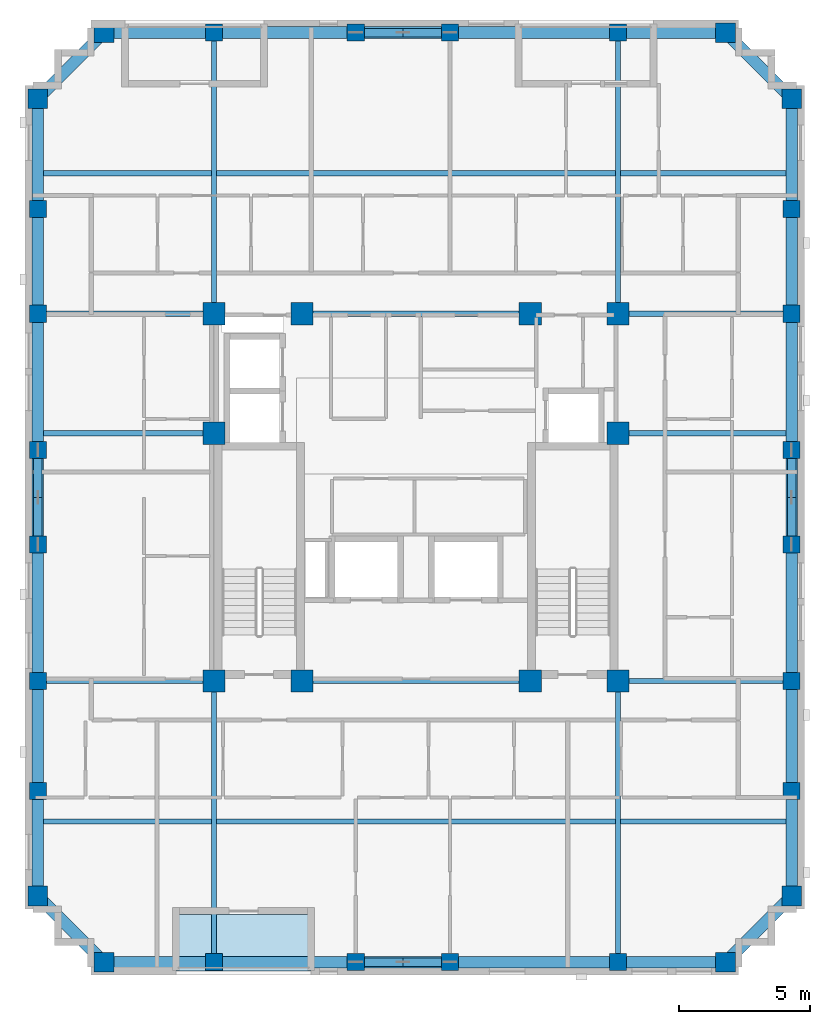
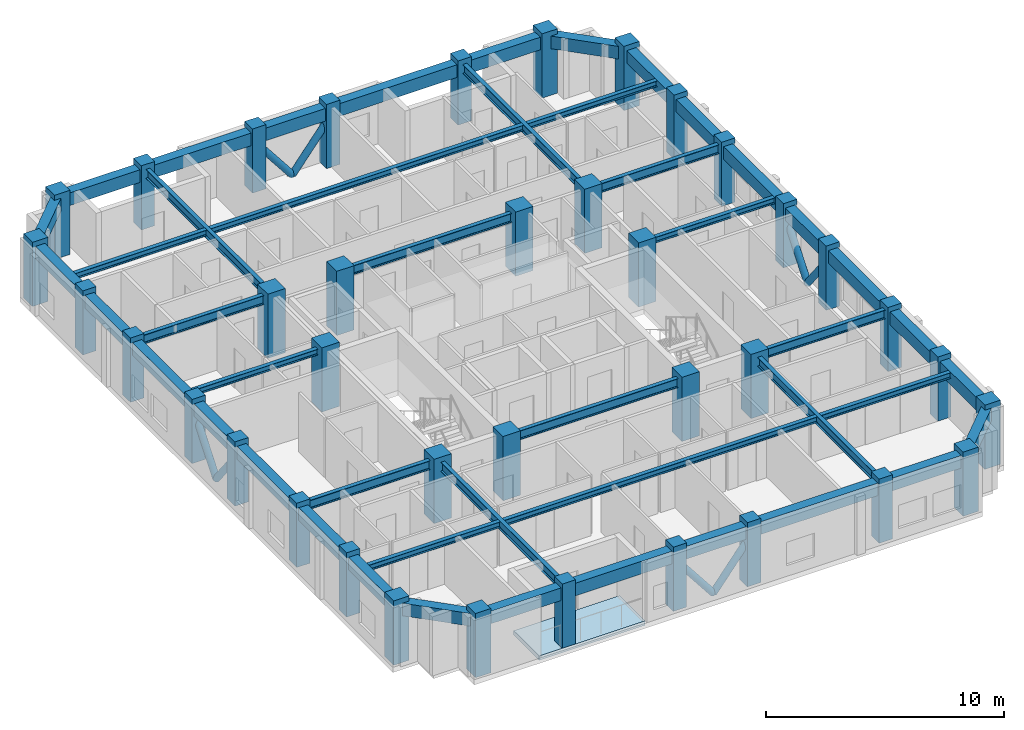
# One storey, part 1 of 11: 46 beams, 38 columns, 8 members, 1 slab.
"""IFC4 building model written with IfcOpenShell, lengths in metres."""

from ifc_helpers import new_model, si_unit, derived_unit, direction, frame, origin, origin_2d, place, context, subcontext, project, spatial, polyline, rectangle, hollow_circle, i_section, outline, extrude, material, layer, layer_set, material_profile, profile_set, type_object, element, save


model = new_model("IFC4")

# Units and contexts
model_context = context("Model", 3, precision=1e-05, world=origin(), true_north=direction((0.0, 1.0)))
body_context = subcontext(model_context, "Body", "Model", "MODEL_VIEW")
ifc_project = project(units=[si_unit("LENGTHUNIT", "METRE"), si_unit("AREAUNIT", "SQUARE_METRE"), si_unit("VOLUMEUNIT", "CUBIC_METRE"), si_unit("PLANEANGLEUNIT", "RADIAN"), si_unit("MASSUNIT", "GRAM", prefix="KILO"), derived_unit("THERMALTRANSMITTANCEUNIT", [(si_unit("MASSUNIT", "GRAM", prefix="KILO"), 1), (si_unit("TIMEUNIT", "SECOND"), -3), (si_unit("THERMODYNAMICTEMPERATUREUNIT", "KELVIN"), -1)])], contexts=[model_context])

# Site, building, storey
site_placement = place(None, origin())
site = spatial("IfcSite", under=ifc_project, at=site_placement, CompositionType="ELEMENT")
building_placement = place(site_placement, origin())
building = spatial("IfcBuilding", under=site, at=building_placement, Name="Korrvale Station Residences", CompositionType="ELEMENT")
storey_placement = place(building_placement, frame((0.0, 0.0, 190.89990234375)))
storey = spatial("IfcBuildingStorey", under=building, at=storey_placement, Name="L55", CompositionType="ELEMENT", Elevation=190.89990234375)

# Columns
ifc_material_1 = material(Name="Concrete C50/60", Category="concrete")
ifc_material_profile_1 = material_profile(ifc_material_1, rectangle(XDim=0.64990234375, YDim=0.64990234375, at=origin_2d()), Name="RC650x650")
ifc_profile_set_1 = profile_set([ifc_material_profile_1], Name="Concrete C50/60")
column_type_1 = type_object("IfcColumnType", Name="COL-C-RC650x650-C5060", PredefinedType="COLUMN", material=ifc_profile_set_1)
for number, where, z_axis, x_axis, name in (
    (1, (17.800048828125, 4.280029296875, 0.0), (0.0, 0.0, 1.0), (1.0, 0.0, 0.0), "L55 Bundled-Tube South Column 02"),
    (2, (23.199951171875, 4.280029296875, 0.0), (0.0, 0.0, 1.0), (1.0, 0.0, 0.0), "L55 Bundled-Tube South Column 03"),
    (3, (26.800048828125, 4.280029296875, 0.0), (0.0, 0.0, 1.0), (1.0, 0.0, 0.0), "L55 Bundled-Tube South Column 04"),
    (4, (33.199951171875, 4.280029296875, 0.0), (0.0, 0.0, 1.0), (1.0, 0.0, 0.0), "L55 Bundled-Tube South Column 05"),
    (5, (17.800048828125, 39.719970703125, 0.0), (0.0, 0.0, 1.0), (1.0, 0.0, 0.0), "L55 Bundled-Tube North Column 08"),
    (6, (23.199951171875, 39.719970703125, 0.0), (0.0, 0.0, 1.0), (1.0, 0.0, 0.0), "L55 Bundled-Tube North Column 09"),
    (7, (26.800048828125, 39.719970703125, 0.0), (0.0, 0.0, 1.0), (1.0, 0.0, 0.0), "L55 Bundled-Tube North Column 10"),
    (8, (33.199951171875, 39.719970703125, 0.0), (0.0, 0.0, 1.0), (1.0, 0.0, 0.0), "L55 Bundled-Tube North Column 11"),
    (9, (11.080078125, 10.800048828125, 0.0), (0.0, 0.0, 1.0), (1.0, 0.0, 0.0), "L55 Bundled-Tube West Column 14"),
    (10, (11.080078125, 15.0, 0.0), (0.0, 0.0, 1.0), (1.0, 0.0, 0.0), "L55 Bundled-Tube West Column 15"),
    (11, (11.080078125, 20.199951171875, 0.0), (0.0, 0.0, 1.0), (1.0, 0.0, 0.0), "L55 Bundled-Tube West Column 16"),
    (12, (11.080078125, 23.800048828125, 0.0), (0.0, 0.0, 1.0), (1.0, 0.0, 0.0), "L55 Bundled-Tube West Column 17"),
    (13, (11.080078125, 29.0, 0.0), (0.0, 0.0, 1.0), (1.0, 0.0, 0.0), "L55 Bundled-Tube West Column 18"),
    (14, (11.080078125, 33.0, 0.0), (0.0, 0.0, 1.0), (1.0, 0.0, 0.0), "L55 Bundled-Tube West Column 19"),
    (15, (39.820068359375, 10.800048828125, 0.0), (0.0, 0.0, 1.0), (1.0, 0.0, 0.0), "L55 Bundled-Tube East Column 22"),
    (16, (39.820068359375, 15.0, 0.0), (0.0, 0.0, 1.0), (1.0, 0.0, 0.0), "L55 Bundled-Tube East Column 23"),
    (17, (39.820068359375, 20.199951171875, 0.0), (0.0, 0.0, 1.0), (1.0, 0.0, 0.0), "L55 Bundled-Tube East Column 24"),
    (18, (39.820068359375, 23.800048828125, 0.0), (0.0, 0.0, 1.0), (1.0, 0.0, 0.0), "L55 Bundled-Tube East Column 25"),
    (19, (39.820068359375, 29.0, 0.0), (0.0, 0.0, 1.0), (1.0, 0.0, 0.0), "L55 Bundled-Tube East Column 26"),
    (20, (39.820068359375, 33.0, 0.0), (0.0, 0.0, 1.0), (1.0, 0.0, 0.0), "L55 Bundled-Tube East Column 27"),
):
    element("IfcColumn", number, at=place(storey_placement, frame(where, z_axis=z_axis, x_axis=x_axis)), inside=storey, type_object=column_type_1, Name=name, PredefinedType="COLUMN", context=body_context, shape_type="SweptSolid", body=[
        extrude(rectangle(XDim=0.64990234375, YDim=0.64990234375, at=origin_2d()), origin(), (0.0, 0.0, 1.0), 3.300048828125),
    ])
ifc_material_profile_2 = material_profile(ifc_material_1, rectangle(XDim=0.75, YDim=0.75, at=origin_2d()), Name="RC750x750")
ifc_profile_set_2 = profile_set([ifc_material_profile_2], Name="Concrete C50/60")
column_type_2 = type_object("IfcColumnType", Name="COL-C-RC750x750-C5060", PredefinedType="COLUMN", material=ifc_profile_set_2)
for number, where, z_axis, x_axis, name in (
    (21, (13.60009765625, 4.280029296875, 0.0), (0.0, 0.0, 1.0), (1.0, 0.0, 0.0), "L55 Bundled-Tube South Column 01"),
    (22, (37.300048828125, 4.280029296875, 0.0), (0.0, 0.0, 1.0), (1.0, 0.0, 0.0), "L55 Bundled-Tube South Column 06"),
    (23, (13.60009765625, 39.719970703125, 0.0), (0.0, 0.0, 1.0), (1.0, 0.0, 0.0), "L55 Bundled-Tube North Column 07"),
    (24, (37.300048828125, 39.719970703125, 0.0), (0.0, 0.0, 1.0), (1.0, 0.0, 0.0), "L55 Bundled-Tube North Column 12"),
    (25, (11.080078125, 6.800048828125, 0.0), (0.0, 0.0, 1.0), (1.0, 0.0, 0.0), "L55 Bundled-Tube West Column 13"),
    (26, (11.080078125, 37.199951171875, 0.0), (0.0, 0.0, 1.0), (1.0, 0.0, 0.0), "L55 Bundled-Tube West Column 20"),
    (27, (39.820068359375, 6.800048828125, 0.0), (0.0, 0.0, 1.0), (1.0, 0.0, 0.0), "L55 Bundled-Tube East Column 21"),
    (28, (39.820068359375, 37.199951171875, 0.0), (0.0, 0.0, 1.0), (1.0, 0.0, 0.0), "L55 Bundled-Tube East Column 28"),
):
    element("IfcColumn", number, at=place(storey_placement, frame(where, z_axis=z_axis, x_axis=x_axis)), inside=storey, type_object=column_type_2, Name=name, PredefinedType="COLUMN", context=body_context, shape_type="SweptSolid", body=[
        extrude(rectangle(XDim=0.75, YDim=0.75, at=origin_2d()), origin(), (0.0, 0.0, 1.0), 3.300048828125),
    ])
ifc_material_profile_3 = material_profile(ifc_material_1, rectangle(XDim=0.85009765625, YDim=0.85009765625, at=origin_2d()), Name="RC850x850")
ifc_profile_set_3 = profile_set([ifc_material_profile_3], Name="Concrete C50/60")
column_type_3 = type_object("IfcColumnType", Name="COL-C-RC850x850-C5060", PredefinedType="COLUMN", material=ifc_profile_set_3)
for number, where, z_axis, x_axis, name in (
    (29, (17.800048828125, 15.0, 0.0), (0.0, 0.0, 1.0), (1.0, 0.0, 0.0), "L55 Core Column 01"),
    (30, (21.14990234375, 15.0, 0.0), (0.0, 0.0, 1.0), (1.0, 0.0, 0.0), "L55 Core Column 02"),
    (31, (29.85009765625, 15.0, 0.0), (0.0, 0.0, 1.0), (1.0, 0.0, 0.0), "L55 Core Column 03"),
    (32, (33.199951171875, 15.0, 0.0), (0.0, 0.0, 1.0), (1.0, 0.0, 0.0), "L55 Core Column 04"),
    (33, (17.800048828125, 29.0, 0.0), (0.0, 0.0, 1.0), (1.0, 0.0, 0.0), "L55 Core Column 05"),
    (34, (21.14990234375, 29.0, 0.0), (0.0, 0.0, 1.0), (1.0, 0.0, 0.0), "L55 Core Column 06"),
    (35, (29.85009765625, 29.0, 0.0), (0.0, 0.0, 1.0), (1.0, 0.0, 0.0), "L55 Core Column 07"),
    (36, (33.199951171875, 29.0, 0.0), (0.0, 0.0, 1.0), (1.0, 0.0, 0.0), "L55 Core Column 08"),
    (37, (17.800048828125, 24.449951171875, 0.0), (0.0, 0.0, 1.0), (1.0, 0.0, 0.0), "L55 Core Column 09"),
    (38, (33.199951171875, 24.449951171875, 0.0), (0.0, 0.0, 1.0), (1.0, 0.0, 0.0), "L55 Core Column 10"),
):
    element("IfcColumn", number, at=place(storey_placement, frame(where, z_axis=z_axis, x_axis=x_axis)), inside=storey, type_object=column_type_3, Name=name, PredefinedType="COLUMN", context=body_context, shape_type="SweptSolid", body=[
        extrude(rectangle(XDim=0.85009765625, YDim=0.85009765625, at=origin_2d()), origin(), (0.0, 0.0, 1.0), 3.300048828125),
    ])

# Beams
ifc_material_2 = material(Name="Steel S355", Category="steel")
ifc_material_profile_4 = material_profile(ifc_material_2, i_section(OverallWidth=0.194091796875, OverallDepth=0.468994140625, WebThickness=0.0126953125, FlangeThickness=0.0205078125, FilletRadius=0.01611328125, at=origin_2d()), Name="W460x106")
ifc_profile_set_4 = profile_set([ifc_material_profile_4], Name="Steel S355")
beam_type_1 = type_object("IfcBeamType", Name="BM-BM-W460x106-S355", PredefinedType="BEAM", material=ifc_profile_set_4)
for number, where, z_axis, x_axis, name in (
    (39, (17.800048828125, 4.280029296875, 2.8056640625), (0.0, 1.0, 0.0), (-1.0, 0.0, 0.0), "L55 Bundled-Tube Web Girder 01"),
    (40, (33.199951171875, 4.280029296875, 2.8056640625), (0.0, 1.0, 0.0), (-1.0, 0.0, 0.0), "L55 Bundled-Tube Web Girder 02"),
    (41, (17.800048828125, 29.0, 2.8056640625), (0.0, 1.0, 0.0), (-1.0, 0.0, 0.0), "L55 Bundled-Tube Web Girder 03"),
    (42, (33.199951171875, 29.0, 2.8056640625), (0.0, 1.0, 0.0), (-1.0, 0.0, 0.0), "L55 Bundled-Tube Web Girder 04"),
):
    element("IfcBeam", number, at=place(storey_placement, frame(where, z_axis=z_axis, x_axis=x_axis)), inside=storey, type_object=beam_type_1, Name=name, PredefinedType="BEAM", context=body_context, shape_type="SweptSolid", body=[
        extrude(i_section(OverallWidth=0.194091796875, OverallDepth=0.468994140625, WebThickness=0.0126953125, FlangeThickness=0.0205078125, FilletRadius=0.01611328125, at=origin_2d()), origin(), (0.0, 0.0, 1.0), 10.719970703125),
    ])
beam_1_placement = place(storey_placement, frame((11.080078125, 15.0, 2.8056640625), z_axis=(1.0, 0.0, 0.0), x_axis=(0.0, 1.0, 0.0)))
element("IfcBeam", 43, at=beam_1_placement, inside=storey, type_object=beam_type_1, Name="L55 Bundled-Tube Web Girder 05", PredefinedType="BEAM", context=body_context, shape_type="SweptSolid", body=[
    extrude(i_section(OverallWidth=0.194091796875, OverallDepth=0.468994140625, WebThickness=0.0126953125, FlangeThickness=0.0205078125, FilletRadius=0.01611328125, at=origin_2d()), origin(), (0.0, 0.0, 1.0), 6.719970703125),
])
beam_2_placement = place(storey_placement, frame((33.199951171875, 15.0, 2.8056640625), z_axis=(1.0, 0.0, 0.0), x_axis=(0.0, 1.0, 0.0)))
element("IfcBeam", 44, at=beam_2_placement, inside=storey, type_object=beam_type_1, Name="L55 Bundled-Tube Web Girder 06", PredefinedType="BEAM", context=body_context, shape_type="SweptSolid", body=[
    extrude(i_section(OverallWidth=0.194091796875, OverallDepth=0.468994140625, WebThickness=0.0126953125, FlangeThickness=0.0205078125, FilletRadius=0.01611328125, at=origin_2d()), origin(), (0.0, 0.0, 1.0), 6.6201171875),
])
beam_3_placement = place(storey_placement, frame((11.080078125, 29.0, 2.8056640625), z_axis=(1.0, 0.0, 0.0), x_axis=(0.0, 1.0, 0.0)))
element("IfcBeam", 45, at=beam_3_placement, inside=storey, type_object=beam_type_1, Name="L55 Bundled-Tube Web Girder 07", PredefinedType="BEAM", context=body_context, shape_type="SweptSolid", body=[
    extrude(i_section(OverallWidth=0.194091796875, OverallDepth=0.468994140625, WebThickness=0.0126953125, FlangeThickness=0.0205078125, FilletRadius=0.01611328125, at=origin_2d()), origin(), (0.0, 0.0, 1.0), 6.719970703125),
])
beam_4_placement = place(storey_placement, frame((33.199951171875, 29.0, 2.8056640625), z_axis=(1.0, 0.0, 0.0), x_axis=(0.0, 1.0, 0.0)))
element("IfcBeam", 46, at=beam_4_placement, inside=storey, type_object=beam_type_1, Name="L55 Bundled-Tube Web Girder 08", PredefinedType="BEAM", context=body_context, shape_type="SweptSolid", body=[
    extrude(i_section(OverallWidth=0.194091796875, OverallDepth=0.468994140625, WebThickness=0.0126953125, FlangeThickness=0.0205078125, FilletRadius=0.01611328125, at=origin_2d()), origin(), (0.0, 0.0, 1.0), 6.6201171875),
])
for number, where, z_axis, x_axis, name in (
    (47, (21.14990234375, 15.0, 2.8056640625), (1.0, 0.0, 0.0), (0.0, 1.0, 0.0), "L55 Bundled-Tube Web Girder 09"),
    (48, (21.14990234375, 29.0, 2.8056640625), (1.0, 0.0, 0.0), (0.0, 1.0, 0.0), "L55 Bundled-Tube Web Girder 10"),
):
    element("IfcBeam", number, at=place(storey_placement, frame(where, z_axis=z_axis, x_axis=x_axis)), inside=storey, type_object=beam_type_1, Name=name, PredefinedType="BEAM", context=body_context, shape_type="SweptSolid", body=[
        extrude(i_section(OverallWidth=0.194091796875, OverallDepth=0.468994140625, WebThickness=0.0126953125, FlangeThickness=0.0205078125, FilletRadius=0.01611328125, at=origin_2d()), origin(), (0.0, 0.0, 1.0), 8.7001953125),
    ])
ifc_material_profile_5 = material_profile(ifc_material_2, i_section(OverallWidth=0.202880859375, OverallDepth=0.302978515625, WebThickness=0.007568359375, FlangeThickness=0.01318359375, FilletRadius=0.014892578125, at=origin_2d()), Name="W310x60")
ifc_profile_set_5 = profile_set([ifc_material_profile_5], Name="Steel S355")
beam_type_2 = type_object("IfcBeamType", Name="BM-JST-W310x60-S355", PredefinedType="JOIST", material=ifc_profile_set_5)
beam_5_placement = place(storey_placement, frame((11.304931640625, 9.639892578125, 2.888671875), z_axis=(1.0, 0.0, 0.0), x_axis=(0.0, 1.0, 0.0)))
element("IfcBeam", 49, at=beam_5_placement, inside=storey, type_object=beam_type_2, Name="L55 Floor Framing Joist 01", PredefinedType="JOIST", context=body_context, shape_type="SweptSolid", body=[
    extrude(i_section(OverallWidth=0.202880859375, OverallDepth=0.302978515625, WebThickness=0.007568359375, FlangeThickness=0.01318359375, FilletRadius=0.014892578125, at=origin_2d()), origin(), (0.0, 0.0, 1.0), 6.39794921875),
])
beam_6_placement = place(storey_placement, frame((17.89697265625, 9.639892578125, 2.888671875), z_axis=(1.0, 0.0, 0.0), x_axis=(0.0, 1.0, 0.0)))
element("IfcBeam", 50, at=beam_6_placement, inside=storey, type_object=beam_type_2, Name="L55 Floor Framing Joist 02", PredefinedType="JOIST", context=body_context, shape_type="SweptSolid", body=[
    extrude(i_section(OverallWidth=0.202880859375, OverallDepth=0.302978515625, WebThickness=0.007568359375, FlangeThickness=0.01318359375, FilletRadius=0.014892578125, at=origin_2d()), origin(), (0.0, 0.0, 1.0), 15.2060546875),
])
beam_7_placement = place(storey_placement, frame((33.297119140625, 9.639892578125, 2.888671875), z_axis=(1.0, 0.0, 0.0), x_axis=(0.0, 1.0, 0.0)))
element("IfcBeam", 51, at=beam_7_placement, inside=storey, type_object=beam_type_2, Name="L55 Floor Framing Joist 03", PredefinedType="JOIST", context=body_context, shape_type="SweptSolid", body=[
    extrude(i_section(OverallWidth=0.202880859375, OverallDepth=0.302978515625, WebThickness=0.007568359375, FlangeThickness=0.01318359375, FilletRadius=0.014892578125, at=origin_2d()), origin(), (0.0, 0.0, 1.0), 6.2978515625),
])
beam_8_placement = place(storey_placement, frame((11.304931640625, 34.360107421875, 2.888671875), z_axis=(1.0, 0.0, 0.0), x_axis=(0.0, 1.0, 0.0)))
element("IfcBeam", 52, at=beam_8_placement, inside=storey, type_object=beam_type_2, Name="L55 Floor Framing Joist 04", PredefinedType="JOIST", context=body_context, shape_type="SweptSolid", body=[
    extrude(i_section(OverallWidth=0.202880859375, OverallDepth=0.302978515625, WebThickness=0.007568359375, FlangeThickness=0.01318359375, FilletRadius=0.014892578125, at=origin_2d()), origin(), (0.0, 0.0, 1.0), 6.39794921875),
])
beam_9_placement = place(storey_placement, frame((17.89697265625, 34.360107421875, 2.888671875), z_axis=(1.0, 0.0, 0.0), x_axis=(0.0, 1.0, 0.0)))
element("IfcBeam", 53, at=beam_9_placement, inside=storey, type_object=beam_type_2, Name="L55 Floor Framing Joist 05", PredefinedType="JOIST", context=body_context, shape_type="SweptSolid", body=[
    extrude(i_section(OverallWidth=0.202880859375, OverallDepth=0.302978515625, WebThickness=0.007568359375, FlangeThickness=0.01318359375, FilletRadius=0.014892578125, at=origin_2d()), origin(), (0.0, 0.0, 1.0), 15.2060546875),
])
beam_10_placement = place(storey_placement, frame((33.297119140625, 34.360107421875, 2.888671875), z_axis=(1.0, 0.0, 0.0), x_axis=(0.0, 1.0, 0.0)))
element("IfcBeam", 54, at=beam_10_placement, inside=storey, type_object=beam_type_2, Name="L55 Floor Framing Joist 06", PredefinedType="JOIST", context=body_context, shape_type="SweptSolid", body=[
    extrude(i_section(OverallWidth=0.202880859375, OverallDepth=0.302978515625, WebThickness=0.007568359375, FlangeThickness=0.01318359375, FilletRadius=0.014892578125, at=origin_2d()), origin(), (0.0, 0.0, 1.0), 6.2978515625),
])
beam_11_placement = place(storey_placement, frame((33.199951171875, 24.449951171875, 2.888671875), z_axis=(1.0, 0.0, 0.0), x_axis=(0.0, 1.0, 0.0)))
element("IfcBeam", 55, at=beam_11_placement, inside=storey, type_object=beam_type_2, Name="L55 Floor Framing Joist 07", PredefinedType="JOIST", context=body_context, shape_type="SweptSolid", body=[
    extrude(i_section(OverallWidth=0.202880859375, OverallDepth=0.302978515625, WebThickness=0.007568359375, FlangeThickness=0.01318359375, FilletRadius=0.014892578125, at=origin_2d()), origin(), (0.0, 0.0, 1.0), 6.39501953125),
])
beam_12_placement = place(storey_placement, frame((11.304931640625, 24.449951171875, 2.888671875), z_axis=(1.0, 0.0, 0.0), x_axis=(0.0, 1.0, 0.0)))
element("IfcBeam", 56, at=beam_12_placement, inside=storey, type_object=beam_type_2, Name="L55 Floor Framing Joist 08", PredefinedType="JOIST", context=body_context, shape_type="SweptSolid", body=[
    extrude(i_section(OverallWidth=0.202880859375, OverallDepth=0.302978515625, WebThickness=0.007568359375, FlangeThickness=0.01318359375, FilletRadius=0.014892578125, at=origin_2d()), origin(), (0.0, 0.0, 1.0), 6.4951171875),
])
ifc_material_profile_6 = material_profile(ifc_material_1, rectangle(XDim=0.449951171875, YDim=0.64990234375, at=origin_2d()), Name="RCB450x650")
ifc_profile_set_6 = profile_set([ifc_material_profile_6], Name="Concrete C50/60")
beam_type_3 = type_object("IfcBeamType", Name="BM-SPB-RCB450x650-C5060", PredefinedType="SPANDREL", material=ifc_profile_set_6)
beam_13_placement = place(storey_placement, frame((13.60009765625, 4.280029296875, 2.715087890625), z_axis=(1.0, 0.0, 0.0), x_axis=(0.0, 1.0, 0.0)))
element("IfcBeam", 57, at=beam_13_placement, inside=storey, type_object=beam_type_3, Name="L55 South Tube Spandrel 01", PredefinedType="SPANDREL", context=body_context, shape_type="SweptSolid", body=[
    extrude(rectangle(XDim=0.449951171875, YDim=0.64990234375, at=origin_2d()), origin(), (0.0, 0.0, 1.0), 4.199951171875),
])
beam_14_placement = place(storey_placement, frame((17.800048828125, 4.280029296875, 2.715087890625), z_axis=(1.0, 0.0, 0.0), x_axis=(0.0, 1.0, 0.0)))
element("IfcBeam", 58, at=beam_14_placement, inside=storey, type_object=beam_type_3, Name="L55 South Tube Spandrel 02", PredefinedType="SPANDREL", context=body_context, shape_type="SweptSolid", body=[
    extrude(rectangle(XDim=0.449951171875, YDim=0.64990234375, at=origin_2d()), origin(), (0.0, 0.0, 1.0), 5.39990234375),
])
beam_15_placement = place(storey_placement, frame((23.199951171875, 4.280029296875, 2.715087890625), z_axis=(1.0, 0.0, 0.0), x_axis=(0.0, 1.0, 0.0)))
element("IfcBeam", 59, at=beam_15_placement, inside=storey, type_object=beam_type_3, Name="L55 South Tube Spandrel 03", PredefinedType="SPANDREL", context=body_context, shape_type="SweptSolid", body=[
    extrude(rectangle(XDim=0.449951171875, YDim=0.64990234375, at=origin_2d()), origin(), (0.0, 0.0, 1.0), 3.60009765625),
])
beam_16_placement = place(storey_placement, frame((26.800048828125, 4.280029296875, 2.715087890625), z_axis=(1.0, 0.0, 0.0), x_axis=(0.0, 1.0, 0.0)))
element("IfcBeam", 60, at=beam_16_placement, inside=storey, type_object=beam_type_3, Name="L55 South Tube Spandrel 04", PredefinedType="SPANDREL", context=body_context, shape_type="SweptSolid", body=[
    extrude(rectangle(XDim=0.449951171875, YDim=0.64990234375, at=origin_2d()), origin(), (0.0, 0.0, 1.0), 6.39990234375),
])
beam_17_placement = place(storey_placement, frame((33.199951171875, 4.280029296875, 2.715087890625), z_axis=(1.0, 0.0, 0.0), x_axis=(0.0, 1.0, 0.0)))
element("IfcBeam", 61, at=beam_17_placement, inside=storey, type_object=beam_type_3, Name="L55 South Tube Spandrel 05", PredefinedType="SPANDREL", context=body_context, shape_type="SweptSolid", body=[
    extrude(rectangle(XDim=0.449951171875, YDim=0.64990234375, at=origin_2d()), origin(), (0.0, 0.0, 1.0), 4.10009765625),
])
beam_18_placement = place(storey_placement, frame((13.60009765625, 39.719970703125, 2.715087890625), z_axis=(1.0, 0.0, 0.0), x_axis=(0.0, 1.0, 0.0)))
element("IfcBeam", 62, at=beam_18_placement, inside=storey, type_object=beam_type_3, Name="L55 North Tube Spandrel 06", PredefinedType="SPANDREL", context=body_context, shape_type="SweptSolid", body=[
    extrude(rectangle(XDim=0.449951171875, YDim=0.64990234375, at=origin_2d()), origin(), (0.0, 0.0, 1.0), 4.199951171875),
])
beam_19_placement = place(storey_placement, frame((17.800048828125, 39.719970703125, 2.715087890625), z_axis=(1.0, 0.0, 0.0), x_axis=(0.0, 1.0, 0.0)))
element("IfcBeam", 63, at=beam_19_placement, inside=storey, type_object=beam_type_3, Name="L55 North Tube Spandrel 07", PredefinedType="SPANDREL", context=body_context, shape_type="SweptSolid", body=[
    extrude(rectangle(XDim=0.449951171875, YDim=0.64990234375, at=origin_2d()), origin(), (0.0, 0.0, 1.0), 5.39990234375),
])
beam_20_placement = place(storey_placement, frame((23.199951171875, 39.719970703125, 2.715087890625), z_axis=(1.0, 0.0, 0.0), x_axis=(0.0, 1.0, 0.0)))
element("IfcBeam", 64, at=beam_20_placement, inside=storey, type_object=beam_type_3, Name="L55 North Tube Spandrel 08", PredefinedType="SPANDREL", context=body_context, shape_type="SweptSolid", body=[
    extrude(rectangle(XDim=0.449951171875, YDim=0.64990234375, at=origin_2d()), origin(), (0.0, 0.0, 1.0), 3.60009765625),
])
beam_21_placement = place(storey_placement, frame((26.800048828125, 39.719970703125, 2.715087890625), z_axis=(1.0, 0.0, 0.0), x_axis=(0.0, 1.0, 0.0)))
element("IfcBeam", 65, at=beam_21_placement, inside=storey, type_object=beam_type_3, Name="L55 North Tube Spandrel 09", PredefinedType="SPANDREL", context=body_context, shape_type="SweptSolid", body=[
    extrude(rectangle(XDim=0.449951171875, YDim=0.64990234375, at=origin_2d()), origin(), (0.0, 0.0, 1.0), 6.39990234375),
])
beam_22_placement = place(storey_placement, frame((33.199951171875, 39.719970703125, 2.715087890625), z_axis=(1.0, 0.0, 0.0), x_axis=(0.0, 1.0, 0.0)))
element("IfcBeam", 66, at=beam_22_placement, inside=storey, type_object=beam_type_3, Name="L55 North Tube Spandrel 10", PredefinedType="SPANDREL", context=body_context, shape_type="SweptSolid", body=[
    extrude(rectangle(XDim=0.449951171875, YDim=0.64990234375, at=origin_2d()), origin(), (0.0, 0.0, 1.0), 4.10009765625),
])
beam_23_placement = place(storey_placement, frame((11.080078125, 6.800048828125, 2.715087890625), z_axis=(0.0, 1.0, 0.0), x_axis=(-1.0, 0.0, 0.0)))
element("IfcBeam", 67, at=beam_23_placement, inside=storey, type_object=beam_type_3, Name="L55 West Tube Spandrel 11", PredefinedType="SPANDREL", context=body_context, shape_type="SweptSolid", body=[
    extrude(rectangle(XDim=0.449951171875, YDim=0.64990234375, at=origin_2d()), origin(), (0.0, 0.0, 1.0), 4.0),
])
beam_24_placement = place(storey_placement, frame((11.080078125, 10.800048828125, 2.715087890625), z_axis=(0.0, 1.0, 0.0), x_axis=(-1.0, 0.0, 0.0)))
element("IfcBeam", 68, at=beam_24_placement, inside=storey, type_object=beam_type_3, Name="L55 West Tube Spandrel 12", PredefinedType="SPANDREL", context=body_context, shape_type="SweptSolid", body=[
    extrude(rectangle(XDim=0.449951171875, YDim=0.64990234375, at=origin_2d()), origin(), (0.0, 0.0, 1.0), 4.199951171875),
])
beam_25_placement = place(storey_placement, frame((11.080078125, 15.0, 2.715087890625), z_axis=(0.0, 1.0, 0.0), x_axis=(-1.0, 0.0, 0.0)))
element("IfcBeam", 69, at=beam_25_placement, inside=storey, type_object=beam_type_3, Name="L55 West Tube Spandrel 13", PredefinedType="SPANDREL", context=body_context, shape_type="SweptSolid", body=[
    extrude(rectangle(XDim=0.449951171875, YDim=0.64990234375, at=origin_2d()), origin(), (0.0, 0.0, 1.0), 5.199951171875),
])
beam_26_placement = place(storey_placement, frame((11.080078125, 20.199951171875, 2.715087890625), z_axis=(0.0, 1.0, 0.0), x_axis=(-1.0, 0.0, 0.0)))
element("IfcBeam", 70, at=beam_26_placement, inside=storey, type_object=beam_type_3, Name="L55 West Tube Spandrel 14", PredefinedType="SPANDREL", context=body_context, shape_type="SweptSolid", body=[
    extrude(rectangle(XDim=0.449951171875, YDim=0.64990234375, at=origin_2d()), origin(), (0.0, 0.0, 1.0), 3.60009765625),
])
beam_27_placement = place(storey_placement, frame((11.080078125, 23.800048828125, 2.715087890625), z_axis=(0.0, 1.0, 0.0), x_axis=(-1.0, 0.0, 0.0)))
element("IfcBeam", 71, at=beam_27_placement, inside=storey, type_object=beam_type_3, Name="L55 West Tube Spandrel 15", PredefinedType="SPANDREL", context=body_context, shape_type="SweptSolid", body=[
    extrude(rectangle(XDim=0.449951171875, YDim=0.64990234375, at=origin_2d()), origin(), (0.0, 0.0, 1.0), 5.199951171875),
])
beam_28_placement = place(storey_placement, frame((11.080078125, 29.0, 2.715087890625), z_axis=(0.0, 1.0, 0.0), x_axis=(-1.0, 0.0, 0.0)))
element("IfcBeam", 72, at=beam_28_placement, inside=storey, type_object=beam_type_3, Name="L55 West Tube Spandrel 16", PredefinedType="SPANDREL", context=body_context, shape_type="SweptSolid", body=[
    extrude(rectangle(XDim=0.449951171875, YDim=0.64990234375, at=origin_2d()), origin(), (0.0, 0.0, 1.0), 4.0),
])
beam_29_placement = place(storey_placement, frame((11.080078125, 33.0, 2.715087890625), z_axis=(0.0, 1.0, 0.0), x_axis=(-1.0, 0.0, 0.0)))
element("IfcBeam", 73, at=beam_29_placement, inside=storey, type_object=beam_type_3, Name="L55 West Tube Spandrel 17", PredefinedType="SPANDREL", context=body_context, shape_type="SweptSolid", body=[
    extrude(rectangle(XDim=0.449951171875, YDim=0.64990234375, at=origin_2d()), origin(), (0.0, 0.0, 1.0), 4.199951171875),
])
beam_30_placement = place(storey_placement, frame((39.820068359375, 6.800048828125, 2.715087890625), z_axis=(0.0, 1.0, 0.0), x_axis=(-1.0, 0.0, 0.0)))
element("IfcBeam", 74, at=beam_30_placement, inside=storey, type_object=beam_type_3, Name="L55 East Tube Spandrel 18", PredefinedType="SPANDREL", context=body_context, shape_type="SweptSolid", body=[
    extrude(rectangle(XDim=0.449951171875, YDim=0.64990234375, at=origin_2d()), origin(), (0.0, 0.0, 1.0), 4.0),
])
beam_31_placement = place(storey_placement, frame((39.820068359375, 10.800048828125, 2.715087890625), z_axis=(0.0, 1.0, 0.0), x_axis=(-1.0, 0.0, 0.0)))
element("IfcBeam", 75, at=beam_31_placement, inside=storey, type_object=beam_type_3, Name="L55 East Tube Spandrel 19", PredefinedType="SPANDREL", context=body_context, shape_type="SweptSolid", body=[
    extrude(rectangle(XDim=0.449951171875, YDim=0.64990234375, at=origin_2d()), origin(), (0.0, 0.0, 1.0), 4.199951171875),
])
beam_32_placement = place(storey_placement, frame((39.820068359375, 15.0, 2.715087890625), z_axis=(0.0, 1.0, 0.0), x_axis=(-1.0, 0.0, 0.0)))
element("IfcBeam", 76, at=beam_32_placement, inside=storey, type_object=beam_type_3, Name="L55 East Tube Spandrel 20", PredefinedType="SPANDREL", context=body_context, shape_type="SweptSolid", body=[
    extrude(rectangle(XDim=0.449951171875, YDim=0.64990234375, at=origin_2d()), origin(), (0.0, 0.0, 1.0), 5.199951171875),
])
beam_33_placement = place(storey_placement, frame((39.820068359375, 20.199951171875, 2.715087890625), z_axis=(0.0, 1.0, 0.0), x_axis=(-1.0, 0.0, 0.0)))
element("IfcBeam", 77, at=beam_33_placement, inside=storey, type_object=beam_type_3, Name="L55 East Tube Spandrel 21", PredefinedType="SPANDREL", context=body_context, shape_type="SweptSolid", body=[
    extrude(rectangle(XDim=0.449951171875, YDim=0.64990234375, at=origin_2d()), origin(), (0.0, 0.0, 1.0), 3.60009765625),
])
beam_34_placement = place(storey_placement, frame((39.820068359375, 23.800048828125, 2.715087890625), z_axis=(0.0, 1.0, 0.0), x_axis=(-1.0, 0.0, 0.0)))
element("IfcBeam", 78, at=beam_34_placement, inside=storey, type_object=beam_type_3, Name="L55 East Tube Spandrel 22", PredefinedType="SPANDREL", context=body_context, shape_type="SweptSolid", body=[
    extrude(rectangle(XDim=0.449951171875, YDim=0.64990234375, at=origin_2d()), origin(), (0.0, 0.0, 1.0), 5.199951171875),
])
beam_35_placement = place(storey_placement, frame((39.820068359375, 29.0, 2.715087890625), z_axis=(0.0, 1.0, 0.0), x_axis=(-1.0, 0.0, 0.0)))
element("IfcBeam", 79, at=beam_35_placement, inside=storey, type_object=beam_type_3, Name="L55 East Tube Spandrel 23", PredefinedType="SPANDREL", context=body_context, shape_type="SweptSolid", body=[
    extrude(rectangle(XDim=0.449951171875, YDim=0.64990234375, at=origin_2d()), origin(), (0.0, 0.0, 1.0), 4.0),
])
beam_36_placement = place(storey_placement, frame((39.820068359375, 33.0, 2.715087890625), z_axis=(0.0, 1.0, 0.0), x_axis=(-1.0, 0.0, 0.0)))
element("IfcBeam", 80, at=beam_36_placement, inside=storey, type_object=beam_type_3, Name="L55 East Tube Spandrel 24", PredefinedType="SPANDREL", context=body_context, shape_type="SweptSolid", body=[
    extrude(rectangle(XDim=0.449951171875, YDim=0.64990234375, at=origin_2d()), origin(), (0.0, 0.0, 1.0), 4.199951171875),
])
for number, where, z_axis, x_axis, name in (
    (81, (13.60009765625, 4.280029296875, 2.715087890625), (-0.707106781187, 0.707106781187, 0.0), (-0.707106781187, -0.707106781187, 0.0), "L55 Serrated Corner Spandrel 25"),
    (82, (37.300048828125, 4.280029296875, 2.715087890625), (0.707106781187, 0.707106781187, 0.0), (-0.707106781187, 0.707106781187, 0.0), "L55 Serrated Corner Spandrel 26"),
    (83, (37.300048828125, 39.719970703125, 2.715087890625), (0.707106781187, -0.707106781187, 0.0), (0.707106781187, 0.707106781187, 0.0), "L55 Serrated Corner Spandrel 27"),
    (84, (13.60009765625, 39.719970703125, 2.715087890625), (-0.707106781187, -0.707106781187, 0.0), (0.707106781187, -0.707106781187, 0.0), "L55 Serrated Corner Spandrel 28"),
):
    element("IfcBeam", number, at=place(storey_placement, frame(where, z_axis=z_axis, x_axis=x_axis)), inside=storey, type_object=beam_type_3, Name=name, PredefinedType="SPANDREL", context=body_context, shape_type="SweptSolid", body=[
        extrude(rectangle(XDim=0.449951171875, YDim=0.64990234375, at=origin_2d()), origin(), (0.0, 0.0, 1.0), 3.56396484375),
    ])

# Members
ifc_material_profile_7 = material_profile(ifc_material_2, hollow_circle(Radius=0.161865234375, WallThickness=0.015869140625, at=origin_2d()), Name="HSS324x16")
ifc_profile_set_7 = profile_set([ifc_material_profile_7], Name="Steel S355")
member_type = type_object("IfcMemberType", Name="MBR-BR-HSS324x16", PredefinedType="BRACE", material=ifc_profile_set_7)
for number, where, z_axis, x_axis, name in (
    (85, (25.0, 4.280029296875, 0.02001953125), (-0.617977009695, 0.0, 0.786196168579), (0.0, -1.0, 0.0), "L55 S Perimeter Tube Wind Brace 1"),
    (86, (25.0, 4.280029296875, 0.02001953125), (0.617977009695, 0.0, 0.786196168579), (0.0, 1.0, 0.0), "L55 S Perimeter Tube Wind Brace 2"),
    (87, (25.0, 39.719970703125, 0.02001953125), (-0.617977009695, 0.0, 0.786196168579), (0.0, -1.0, 0.0), "L55 N Perimeter Tube Wind Brace 1"),
    (88, (25.0, 39.719970703125, 0.02001953125), (0.617977009695, 0.0, 0.786196168579), (0.0, 1.0, 0.0), "L55 N Perimeter Tube Wind Brace 2"),
    (89, (11.080078125, 22.0, 0.02001953125), (0.0, -0.617977009695, 0.786196168579), (1.0, 0.0, 0.0), "L55 W Perimeter Tube Wind Brace 1"),
    (90, (11.080078125, 22.0, 0.02001953125), (0.0, 0.617977009695, 0.786196168579), (-1.0, 0.0, 0.0), "L55 W Perimeter Tube Wind Brace 2"),
    (91, (39.820068359375, 22.0, 0.02001953125), (0.0, -0.617977009695, 0.786196168579), (1.0, 0.0, 0.0), "L55 E Perimeter Tube Wind Brace 1"),
    (92, (39.820068359375, 22.0, 0.02001953125), (0.0, 0.617977009695, 0.786196168579), (-1.0, 0.0, 0.0), "L55 E Perimeter Tube Wind Brace 2"),
):
    element("IfcMember", number, at=place(storey_placement, frame(where, z_axis=z_axis, x_axis=x_axis)), inside=storey, type_object=member_type, Name=name, PredefinedType="BRACE", context=body_context, shape_type="SweptSolid", body=[
        extrude(hollow_circle(Radius=0.161865234375, WallThickness=0.015869140625, at=origin_2d()), origin(), (0.0, 0.0, 1.0), 2.912841796875),
    ])

# Slab
ifc_layer = layer(ifc_material_1, 0.219970703125, Name="Concrete C50/60")
ifc_layer_set = layer_set([ifc_layer], Name="Concrete C50/60")
slab_type = type_object("IfcSlabType", Name="SLB-BAL-220", PredefinedType="FLOOR", material=ifc_layer_set)
slab_placement = place(storey_placement, frame((0.0, 0.0, -0.219970703125)))
element("IfcSlab", 93, at=slab_placement, inside=storey, type_object=slab_type, Name="L55 Recessed Loggia Balcony Slab BAL-L55-S1", PredefinedType="FLOOR", context=body_context, shape_type="SweptSolid", body=[
    extrude(outline(polyline([(16.35009765625, 3.949951171875), (21.5, 3.949951171875), (21.5, 6.10009765625), (16.35009765625, 6.10009765625), (16.35009765625, 3.949951171875)])), origin(), (0.0, 0.0, 1.0), 0.219970703125),
])

save(model, "model.ifc")
